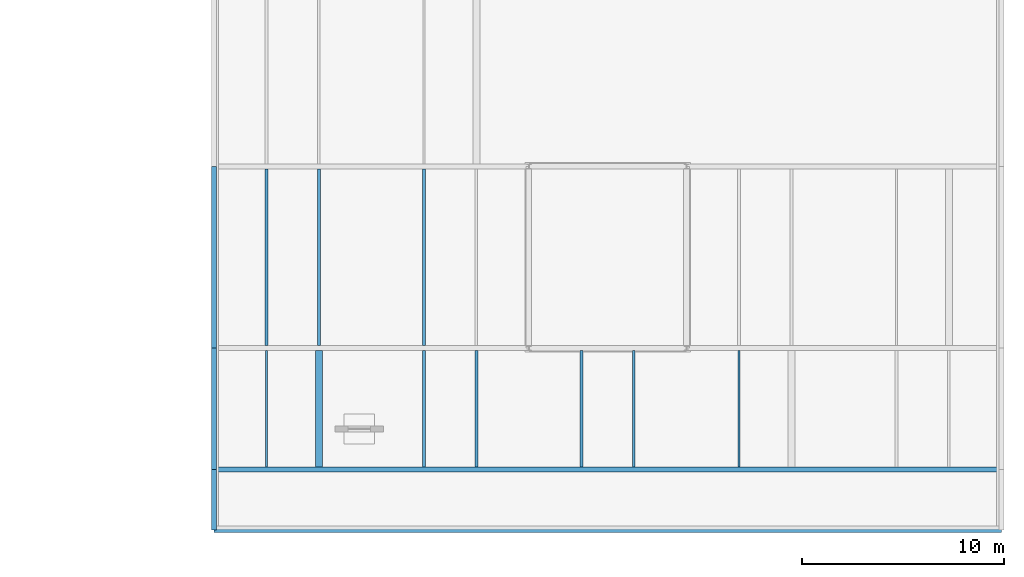
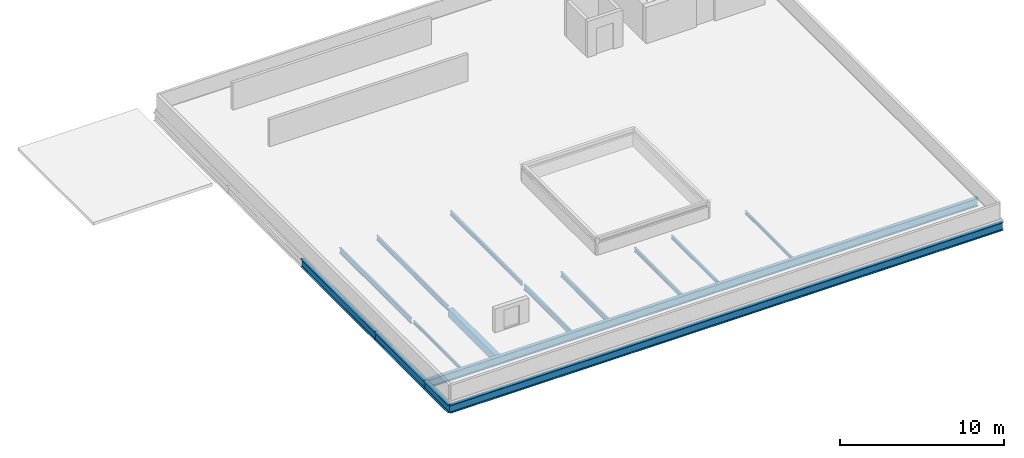
# One storey, part 1 of 9: 15 beams.
"""IFC4 building model written with IfcOpenShell, lengths in metres."""

from ifc_helpers import new_model, si_unit, derived_unit, direction, frame, origin, origin_2d, place, context, subcontext, project, spatial, rectangle, i_section, extrude, material, material_profile, profile_set, type_object, element, save


model = new_model("IFC4")

# Units and contexts
model_context = context("Model", 3, precision=1e-05, world=origin(), true_north=direction((0.0, 1.0)))
body_context = subcontext(model_context, "Body", "Model", "MODEL_VIEW")
ifc_project = project(units=[si_unit("LENGTHUNIT", "METRE"), si_unit("AREAUNIT", "SQUARE_METRE"), si_unit("VOLUMEUNIT", "CUBIC_METRE"), si_unit("PLANEANGLEUNIT", "RADIAN"), si_unit("MASSUNIT", "GRAM", prefix="KILO"), derived_unit("THERMALTRANSMITTANCEUNIT", [(si_unit("POWERUNIT", "WATT"), 1), (si_unit("LENGTHUNIT", "METRE"), -2), (si_unit("THERMODYNAMICTEMPERATUREUNIT", "KELVIN"), -1)])], contexts=[model_context])

# Site, building, storey
site_placement = place(None, origin())
site = spatial("IfcSite", under=ifc_project, at=site_placement, CompositionType="ELEMENT")
building_placement = place(site_placement, origin())
building = spatial("IfcBuilding", under=site, at=building_placement, Name="Nallur Shell Playhouse", CompositionType="ELEMENT")
storey_placement = place(building_placement, frame((0.0, 0.0, 31.199951171875)))
storey = spatial("IfcBuildingStorey", under=building, at=storey_placement, Name="RF2", CompositionType="ELEMENT", Elevation=31.199951171875)

# Beams
ifc_material_1 = material(Name="Steel E250", Category="steel")
ifc_material_profile_1 = material_profile(ifc_material_1, i_section(OverallWidth=0.110107421875, OverallDepth=0.22509765625, WebThickness=0.006591796875, FlangeThickness=0.01171875, FilletRadius=0.011962890625, at=origin_2d()), Name="ISMB 225")
ifc_profile_set_1 = profile_set([ifc_material_profile_1], Name="Steel E250")
beam_type_1 = type_object("IfcBeamType", Name="BM-JST-ISMB225", PredefinedType="JOIST", material=ifc_profile_set_1)
for number, where, z_axis, x_axis, name in (
    (1, (66.60009765625, 50.123046875, -0.33251953125), (0.0, 1.0, 0.0), (-1.0, 0.0, 0.0), "RF2 secondary joist 8-F-1277"),
    (2, (90.0, 50.123046875, -0.33251953125), (0.0, 1.0, 0.0), (-1.0, 0.0, 0.0), "RF2 secondary joist 11-F-1295"),
):
    element("IfcBeam", number, at=place(storey_placement, frame(where, z_axis=z_axis, x_axis=x_axis)), inside=storey, type_object=beam_type_1, Name=name, PredefinedType="JOIST", context=body_context, shape_type="SweptSolid", body=[
        extrude(i_section(OverallWidth=0.110107421875, OverallDepth=0.22509765625, WebThickness=0.006591796875, FlangeThickness=0.01171875, FilletRadius=0.011962890625, at=origin_2d()), origin(), (0.0, 0.0, 1.0), 5.75390625),
    ])
ifc_material_profile_2 = material_profile(ifc_material_1, i_section(OverallWidth=0.125, OverallDepth=0.25, WebThickness=0.0068359375, FlangeThickness=0.012451171875, FilletRadius=0.012939453125, at=origin_2d()), Name="ISMB 250")
ifc_profile_set_2 = profile_set([ifc_material_profile_2], Name="Steel E250")
beam_type_2 = type_object("IfcBeamType", Name="BM-JST-ISMB250", PredefinedType="JOIST", material=ifc_profile_set_2)
beam_1_placement = place(storey_placement, frame((84.800048828125, 50.123046875, -0.344970703125), z_axis=(0.0, 1.0, 0.0), x_axis=(-1.0, 0.0, 0.0)))
element("IfcBeam", 3, at=beam_1_placement, inside=storey, type_object=beam_type_2, Name="RF2 secondary joist 10-F-1294", PredefinedType="JOIST", context=body_context, shape_type="SweptSolid", body=[
    extrude(i_section(OverallWidth=0.125, OverallDepth=0.25, WebThickness=0.0068359375, FlangeThickness=0.012451171875, FilletRadius=0.012939453125, at=origin_2d()), origin(), (0.0, 0.0, 1.0), 5.75390625),
])
ifc_material_profile_3 = material_profile(ifc_material_1, i_section(OverallWidth=0.139892578125, OverallDepth=0.300048828125, WebThickness=0.0078125, FlangeThickness=0.01318359375, FilletRadius=0.013916015625, at=origin_2d()), Name="ISMB 300")
ifc_profile_set_3 = profile_set([ifc_material_profile_3], Name="Steel E250")
beam_type_3 = type_object("IfcBeamType", Name="BM-JST-ISMB300", PredefinedType="JOIST", material=ifc_profile_set_3)
beam_2_placement = place(storey_placement, frame((74.39990234375, 56.123046875, -0.369873046875), z_axis=(0.0, 1.0, 0.0), x_axis=(-1.0, 0.0, 0.0)))
element("IfcBeam", 4, at=beam_2_placement, inside=storey, type_object=beam_type_3, Name="RF2 secondary joist 9-G-1287", PredefinedType="JOIST", context=body_context, shape_type="SweptSolid", body=[
    extrude(i_section(OverallWidth=0.139892578125, OverallDepth=0.300048828125, WebThickness=0.0078125, FlangeThickness=0.01318359375, FilletRadius=0.013916015625, at=origin_2d()), origin(), (0.0, 0.0, 1.0), 8.75390625),
])
beam_3_placement = place(storey_placement, frame((82.199951171875, 50.123046875, -0.369873046875), z_axis=(0.0, 1.0, 0.0), x_axis=(-1.0, 0.0, 0.0)))
element("IfcBeam", 5, at=beam_3_placement, inside=storey, type_object=beam_type_3, Name="RF2 secondary joist 10-F-1293", PredefinedType="JOIST", context=body_context, shape_type="SweptSolid", body=[
    extrude(i_section(OverallWidth=0.139892578125, OverallDepth=0.300048828125, WebThickness=0.0078125, FlangeThickness=0.01318359375, FilletRadius=0.013916015625, at=origin_2d()), origin(), (0.0, 0.0, 1.0), 5.75390625),
])
ifc_material_profile_4 = material_profile(ifc_material_1, i_section(OverallWidth=0.139892578125, OverallDepth=0.35009765625, WebThickness=0.008056640625, FlangeThickness=0.01416015625, FilletRadius=0.013916015625, at=origin_2d()), Name="ISMB 350")
ifc_profile_set_4 = profile_set([ifc_material_profile_4], Name="Steel E250")
beam_type_4 = type_object("IfcBeamType", Name="BM-JST-ISMB350", PredefinedType="JOIST", material=ifc_profile_set_4)
beam_4_placement = place(storey_placement, frame((69.199951171875, 56.123046875, -0.39501953125), z_axis=(0.0, 1.0, 0.0), x_axis=(-1.0, 0.0, 0.0)))
element("IfcBeam", 6, at=beam_4_placement, inside=storey, type_object=beam_type_4, Name="RF2 secondary joist 8-G-1280", PredefinedType="JOIST", context=body_context, shape_type="SweptSolid", body=[
    extrude(i_section(OverallWidth=0.139892578125, OverallDepth=0.35009765625, WebThickness=0.008056640625, FlangeThickness=0.01416015625, FilletRadius=0.013916015625, at=origin_2d()), origin(), (0.0, 0.0, 1.0), 8.75390625),
])
beam_5_placement = place(storey_placement, frame((77.0, 50.123046875, -0.39501953125), z_axis=(0.0, 1.0, 0.0), x_axis=(-1.0, 0.0, 0.0)))
element("IfcBeam", 7, at=beam_5_placement, inside=storey, type_object=beam_type_4, Name="RF2 secondary joist 9-F-1286", PredefinedType="JOIST", context=body_context, shape_type="SweptSolid", body=[
    extrude(i_section(OverallWidth=0.139892578125, OverallDepth=0.35009765625, WebThickness=0.008056640625, FlangeThickness=0.01416015625, FilletRadius=0.013916015625, at=origin_2d()), origin(), (0.0, 0.0, 1.0), 5.75390625),
])
ifc_material_profile_5 = material_profile(ifc_material_1, i_section(OverallWidth=0.139892578125, OverallDepth=0.39990234375, WebThickness=0.0087890625, FlangeThickness=0.01611328125, FilletRadius=0.013916015625, at=origin_2d()), Name="ISMB 400")
ifc_profile_set_5 = profile_set([ifc_material_profile_5], Name="Steel E250")
beam_type_5 = type_object("IfcBeamType", Name="BM-JST-ISMB400", PredefinedType="JOIST", material=ifc_profile_set_5)
beam_6_placement = place(storey_placement, frame((66.60009765625, 56.123046875, -0.419921875), z_axis=(0.0, 1.0, 0.0), x_axis=(-1.0, 0.0, 0.0)))
element("IfcBeam", 8, at=beam_6_placement, inside=storey, type_object=beam_type_5, Name="RF2 secondary joist 8-G-1279", PredefinedType="JOIST", context=body_context, shape_type="SweptSolid", body=[
    extrude(i_section(OverallWidth=0.139892578125, OverallDepth=0.39990234375, WebThickness=0.0087890625, FlangeThickness=0.01611328125, FilletRadius=0.013916015625, at=origin_2d()), origin(), (0.0, 0.0, 1.0), 8.75390625),
])
beam_7_placement = place(storey_placement, frame((74.39990234375, 50.123046875, -0.419921875), z_axis=(0.0, 1.0, 0.0), x_axis=(-1.0, 0.0, 0.0)))
element("IfcBeam", 9, at=beam_7_placement, inside=storey, type_object=beam_type_5, Name="RF2 secondary joist 9-F-1285", PredefinedType="JOIST", context=body_context, shape_type="SweptSolid", body=[
    extrude(i_section(OverallWidth=0.139892578125, OverallDepth=0.39990234375, WebThickness=0.0087890625, FlangeThickness=0.01611328125, FilletRadius=0.013916015625, at=origin_2d()), origin(), (0.0, 0.0, 1.0), 5.75390625),
])
ifc_material_2 = material(Name="Concrete M30", Category="concrete")
ifc_material_profile_6 = material_profile(ifc_material_2, rectangle(XDim=0.35009765625, YDim=0.60009765625, at=origin_2d()), Name="RC 350x600")
ifc_profile_set_6 = profile_set([ifc_material_profile_6], Name="Concrete M30")
beam_type_6 = type_object("IfcBeamType", Name="BM-RC-350x600", PredefinedType="JOIST", material=ifc_profile_set_6)
beam_8_placement = place(storey_placement, frame((69.199951171875, 50.123046875, -0.52001953125), z_axis=(0.0, 1.0, 0.0), x_axis=(-1.0, 0.0, 0.0)))
element("IfcBeam", 10, at=beam_8_placement, inside=storey, type_object=beam_type_6, Name="RF2 secondary joist 8-F-1278", PredefinedType="JOIST", context=body_context, shape_type="SweptSolid", body=[
    extrude(rectangle(XDim=0.35009765625, YDim=0.60009765625, at=origin_2d()), origin(), (0.0, 0.0, 1.0), 5.75390625),
])
ifc_material_3 = material(Name="Steel E350", Category="steel")
ifc_material_profile_7 = material_profile(ifc_material_3, i_section(OverallWidth=0.25, OverallDepth=0.60009765625, WebThickness=0.01171875, FlangeThickness=0.023681640625, FilletRadius=0.01708984375, at=origin_2d()), Name="ISWB 600")
ifc_profile_set_7 = profile_set([ifc_material_profile_7], Name="Steel E350")
beam_type_7 = type_object("IfcBeamType", Name="BM-ST-ISWB600", PredefinedType="BEAM", material=ifc_profile_set_7)
beam_9_placement = place(storey_placement, frame((64.0, 47.0, -0.52001953125), z_axis=(0.0, 1.0, 0.0), x_axis=(-1.0, 0.0, 0.0)))
element("IfcBeam", 11, at=beam_9_placement, inside=storey, type_object=beam_type_7, Name="RF2 girder Y-8-1261", PredefinedType="BEAM", context=body_context, shape_type="SweptSolid", body=[
    extrude(i_section(OverallWidth=0.25, OverallDepth=0.60009765625, WebThickness=0.01171875, FlangeThickness=0.023681640625, FilletRadius=0.01708984375, at=origin_2d()), origin(), (0.0, 0.0, 1.0), 3.0),
])
beam_10_placement = place(storey_placement, frame((64.0, 50.0, -0.52001953125), z_axis=(0.0, 1.0, 0.0), x_axis=(-1.0, 0.0, 0.0)))
element("IfcBeam", 12, at=beam_10_placement, inside=storey, type_object=beam_type_7, Name="RF2 girder Y-8-1262", PredefinedType="BEAM", context=body_context, shape_type="SweptSolid", body=[
    extrude(i_section(OverallWidth=0.25, OverallDepth=0.60009765625, WebThickness=0.01171875, FlangeThickness=0.023681640625, FilletRadius=0.01708984375, at=origin_2d()), origin(), (0.0, 0.0, 1.0), 6.0),
])
beam_11_placement = place(storey_placement, frame((64.0, 56.0, -0.52001953125), z_axis=(0.0, 1.0, 0.0), x_axis=(-1.0, 0.0, 0.0)))
element("IfcBeam", 13, at=beam_11_placement, inside=storey, type_object=beam_type_7, Name="RF2 girder Y-8-1263", PredefinedType="BEAM", context=body_context, shape_type="SweptSolid", body=[
    extrude(i_section(OverallWidth=0.25, OverallDepth=0.60009765625, WebThickness=0.01171875, FlangeThickness=0.023681640625, FilletRadius=0.01708984375, at=origin_2d()), origin(), (0.0, 0.0, 1.0), 9.0),
])
for number, where, z_axis, x_axis, name in (
    (14, (64.0, 47.0, -0.52001953125), (1.0, 0.0, 0.0), (0.0, 1.0, 0.0), "RF2 long-span hall girder Y=47.0-1273"),
    (15, (64.0, 50.0, -0.52001953125), (1.0, 0.0, 0.0), (0.0, 1.0, 0.0), "RF2 long-span hall girder Y=50.0-1274"),
):
    element("IfcBeam", number, at=place(storey_placement, frame(where, z_axis=z_axis, x_axis=x_axis)), inside=storey, type_object=beam_type_7, Name=name, PredefinedType="BEAM", context=body_context, shape_type="SweptSolid", body=[
        extrude(i_section(OverallWidth=0.25, OverallDepth=0.60009765625, WebThickness=0.01171875, FlangeThickness=0.023681640625, FilletRadius=0.01708984375, at=origin_2d()), origin(), (0.0, 0.0, 1.0), 39.0),
    ])

save(model, "model.ifc")
